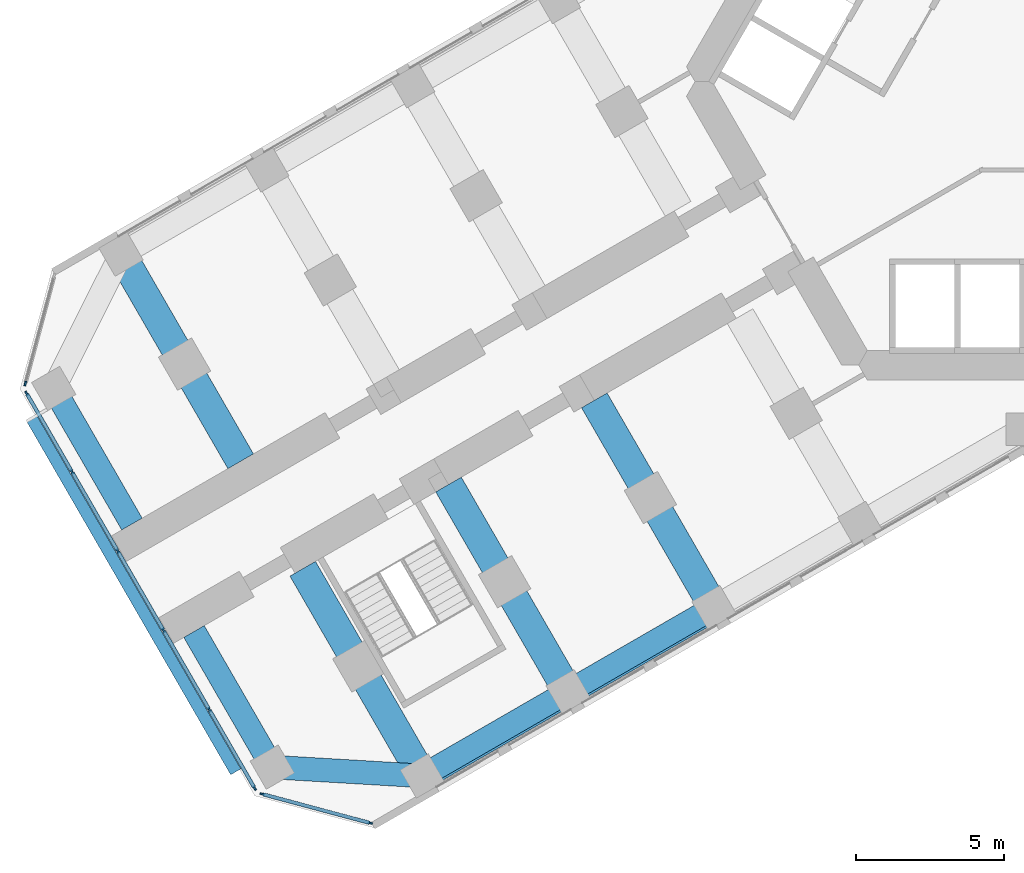
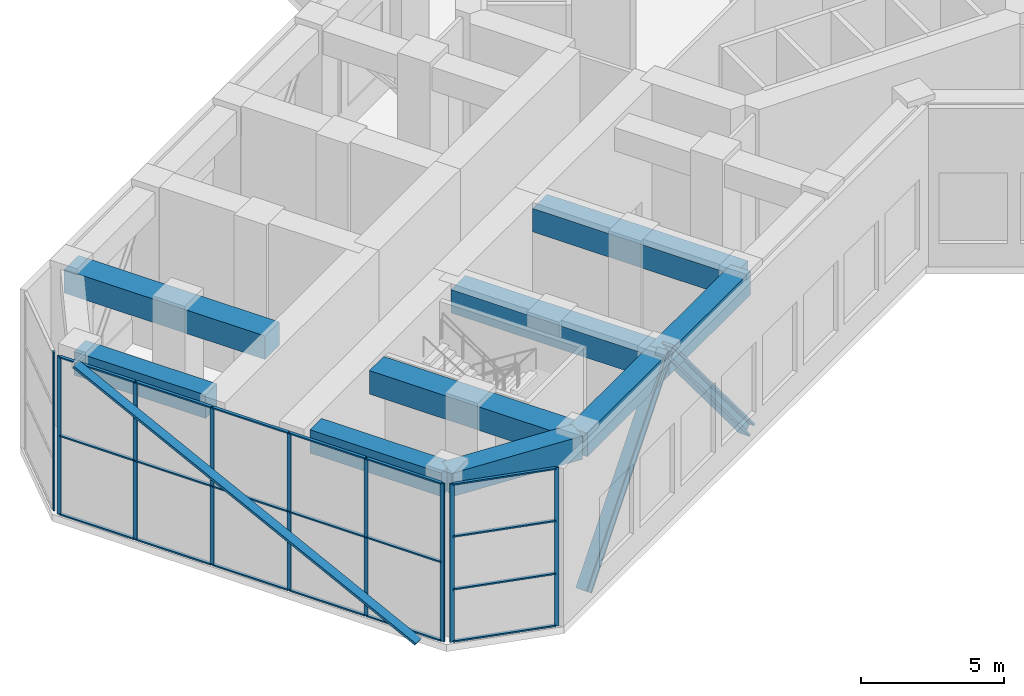
# One storey, part 2 of 17: 31 members, 9 beams, 3 elements without a shape of their own.
"""IFC4 building model written with IfcOpenShell, lengths in metres."""

from ifc_helpers import new_model, si_unit, direction, frame, origin, origin_2d, place, context, subcontext, project, spatial, rectangle, i_section, extrude, material, material_profile, profile_set, type_object, element, aggregate, save


model = new_model("IFC4")

# Units and contexts
model_context = context("Model", 3, precision=1e-05, world=origin(), true_north=direction((0.0, 1.0)))
body_context = subcontext(model_context, "Body", "Model", "MODEL_VIEW")
ifc_project = project(units=[si_unit("LENGTHUNIT", "METRE"), si_unit("AREAUNIT", "SQUARE_METRE"), si_unit("VOLUMEUNIT", "CUBIC_METRE"), si_unit("PLANEANGLEUNIT", "RADIAN"), si_unit("MASSUNIT", "GRAM", prefix="KILO")], contexts=[model_context])

# Site, building, storey
site_placement = place(None, origin())
site = spatial("IfcSite", under=ifc_project, at=site_placement, CompositionType="ELEMENT")
building_placement = place(site_placement, origin())
building = spatial("IfcBuilding", under=site, at=building_placement, Name="Kosmar Iwan School Tower", CompositionType="ELEMENT")
storey_placement = place(building_placement, frame((0.0, 0.0, 32.39990234375)))
storey = spatial("IfcBuildingStorey", under=building, at=storey_placement, Name="L07", CompositionType="ELEMENT", Elevation=32.39990234375)

# Members
ifc_material_1 = material(Name="Steel S355", Category="steel")
ifc_material_profile_1 = material_profile(ifc_material_1, i_section(OverallWidth=0.431884765625, OverallDepth=0.498046875, WebThickness=0.0556640625, FlangeThickness=0.0888671875, FilletRadius=0.014892578125, at=origin_2d()), Name="HD 400x744")
ifc_profile_set_1 = profile_set([ifc_material_profile_1], Name="Steel S355")
member_type_1 = type_object("IfcMemberType", Name="Belt truss diagonal HD 400x744", PredefinedType="BRACE", material=ifc_profile_set_1)
member_1_placement = place(storey_placement, frame((-10.318115234375, -18.0283203125, 0.0), z_axis=(-0.555597573225, -0.32078965675, 0.767075832463), x_axis=(0.50001782563, -0.866015111908, 0.0)))
element("IfcMember", 1, at=member_1_placement, inside=storey, type_object=member_type_1, Name="Belt truss diagonal BL3", PredefinedType="BRACE", context=body_context, shape_type="SweptSolid", body=[
    extrude(i_section(OverallWidth=0.431884765625, OverallDepth=0.498046875, WebThickness=0.0556640625, FlangeThickness=0.0888671875, FilletRadius=0.014892578125, at=origin_2d()), origin(), (0.0, 0.0, 1.0), 8.884521484375),
])
member_2_placement = place(storey_placement, frame((-15.25439453125, -20.87841796875, 6.815185546875), z_axis=(-0.555616569323, -0.320784759163, -0.767064121298), x_axis=(0.499999279071, -0.866025820012, 0.0)))
element("IfcMember", 2, at=member_2_placement, inside=storey, type_object=member_type_1, Name="Belt truss diagonal BL4", PredefinedType="BRACE", context=body_context, shape_type="SweptSolid", body=[
    extrude(i_section(OverallWidth=0.431884765625, OverallDepth=0.498046875, WebThickness=0.0556640625, FlangeThickness=0.0888671875, FilletRadius=0.014892578125, at=origin_2d()), origin(), (0.0, 0.0, 1.0), 8.884765625),
])

# Beams
ifc_material_2 = material(Name="Concrete C50/60", Category="concrete")
ifc_material_profile_2 = material_profile(ifc_material_2, rectangle(XDim=0.800048828125, YDim=1.0, at=origin_2d()), Name="RC 800x1000 + HD 400x634")
ifc_profile_set_2 = profile_set([ifc_material_profile_2], Name="Concrete C50/60")
beam_type_1 = type_object("IfcBeamType", Name="Composite edge beam 800x1000 HD 400x634", PredefinedType="BEAM", material=ifc_profile_set_2)
beam_1_placement = place(storey_placement, frame((-10.445068359375, -17.808349609375, 6.25), z_axis=(-0.866025820012, -0.499999279071, 0.0), x_axis=(0.499999279071, -0.866025820012, 0.0)))
element("IfcBeam", 3, at=beam_1_placement, inside=storey, type_object=beam_type_1, Name="Edge beam BL3", PredefinedType="BEAM", context=body_context, shape_type="SweptSolid", body=[
    extrude(rectangle(XDim=0.800048828125, YDim=1.0, at=origin_2d()), origin(), (0.0, 0.0, 1.0), 5.7001953125),
])
beam_2_placement = place(storey_placement, frame((-15.381591796875, -20.658447265625, 6.25), z_axis=(-0.866015111908, -0.50001782563, 0.0), x_axis=(0.50001782563, -0.866015111908, 0.0)))
element("IfcBeam", 4, at=beam_2_placement, inside=storey, type_object=beam_type_1, Name="Edge beam BL4", PredefinedType="BEAM", context=body_context, shape_type="SweptSolid", body=[
    extrude(rectangle(XDim=0.800048828125, YDim=1.0, at=origin_2d()), origin(), (0.0, 0.0, 1.0), 5.699951171875),
])
ifc_material_3 = material(Name="Concrete C50/60", Category="concrete")
ifc_material_profile_3 = material_profile(ifc_material_3, rectangle(XDim=1.0, YDim=1.0, at=origin_2d()), Name="RC 1000x1000 + HD 400x347")
ifc_profile_set_3 = profile_set([ifc_material_profile_3], Name="Concrete C50/60")
beam_type_2 = type_object("IfcBeamType", Name="Composite transverse beam 1000x1000 HD 400x347", PredefinedType="BEAM", material=ifc_profile_set_3)
beam_3_placement = place(storey_placement, frame((-10.445068359375, -17.808349609375, 6.25), z_axis=(-0.500012932018, 0.866017937352, 0.0), x_axis=(-0.866017937352, -0.500012932018, 0.0)))
element("IfcBeam", 5, at=beam_3_placement, inside=storey, type_object=beam_type_2, Name="Transverse beam BL2", PredefinedType="BEAM", context=body_context, shape_type="SweptSolid", body=[
    extrude(rectangle(XDim=1.0, YDim=1.0, at=origin_2d()), origin(), (0.0, 0.0, 1.0), 8.099853515625),
])
for number, where, z_axis, x_axis, name in (
    (6, (-15.381591796875, -20.658447265625, 6.25), (-0.499977274689, 0.866038523851, 0.0), (-0.866038523851, -0.499977274689, 0.0), "Transverse beam BL3"),
    (7, (-20.31787109375, -23.508544921875, 6.25), (-0.499999880539, 0.866025472755, 0.0), (-0.866025472755, -0.499999880539, 0.0), "Transverse beam BL4"),
    (8, (-30.517822265625, -5.841552734375, 6.25), (0.499999880539, -0.866025472755, 0.0), (0.866025472755, 0.499999880539, 0.0), "Transverse beam BR4"),
):
    element("IfcBeam", number, at=place(storey_placement, frame(where, z_axis=z_axis, x_axis=x_axis)), inside=storey, type_object=beam_type_2, Name=name, PredefinedType="BEAM", context=body_context, shape_type="SweptSolid", body=[
        extrude(rectangle(XDim=1.0, YDim=1.0, at=origin_2d()), origin(), (0.0, 0.0, 1.0), 8.10009765625),
    ])

# Member
ifc_material_4 = material(Name="Black anodised aluminium", Category="aluminium")
ifc_material_profile_4 = material_profile(ifc_material_4, rectangle(XDim=0.10009765625, YDim=0.39990234375, at=origin_2d()), Name="FIN 100x400")
ifc_profile_set_4 = profile_set([ifc_material_profile_4], Name="Black anodised aluminium")
member_type_2 = type_object("IfcMemberType", Name="Diagonal fin 100x400", PredefinedType="USERDEFINED", material=ifc_profile_set_4)
member_3_placement = place(storey_placement, frame((-26.645263671875, -23.34912109375, -0.14990234375), z_axis=(-0.445884805648, 0.772309410313, 0.452465374183), x_axis=(0.226229551412, -0.391848318744, 0.891781971765)))
element("IfcMember", 9, at=member_3_placement, inside=storey, type_object=member_type_2, Name="Diagonal fin L07-F13", ObjectType="FIN", PredefinedType="USERDEFINED", context=body_context, shape_type="SweptSolid", body=[
    extrude(rectangle(XDim=0.10009765625, YDim=0.39990234375, at=origin_2d()), origin(), (0.0, 0.0, 1.0), 15.470703125),
])

# Curtain wall, member
ifc_material_5 = material(Name="Dark glass in black aluminium frame", Category="aluminium")
curtain_wall_type_1 = type_object("IfcCurtainWallType", Name="Chamfer curtain wall dark glass", PredefinedType="USERDEFINED", material=ifc_material_5)
curtain_wall_1_placement = place(storey_placement, origin())
curtain_wall_1 = element("IfcCurtainWall", 10, at=curtain_wall_1_placement, inside=storey, type_object=curtain_wall_type_1, Name="Curtain wall L07-F12", ObjectType="FACETED CURTAIN WALL", PredefinedType="USERDEFINED")
ifc_material_6 = material(Name="Black anodised aluminium", Category="aluminium")
ifc_material_profile_5 = material_profile(ifc_material_6, rectangle(XDim=0.06005859375, YDim=0.159912109375, at=origin_2d()), Name="MULLION 60x160")
ifc_profile_set_5 = profile_set([ifc_material_profile_5], Name="Black anodised aluminium")
member_type_3 = type_object("IfcMemberType", Name="Mullion 60x160", PredefinedType="MULLION", material=ifc_profile_set_5)
member_4_placement = place(storey_placement, frame((-33.7587890625, -10.2236328125, 0.0), z_axis=(0.0, 0.0, 1.0), x_axis=(0.965925875495, -0.258818861462, 0.0)))
member_4 = element("IfcMember", 11, at=member_4_placement, type_object=member_type_3, Name="CW2 mullion 2", PredefinedType="MULLION", context=body_context, shape_type="SweptSolid", body=[
    extrude(rectangle(XDim=0.06005859375, YDim=0.159912109375, at=origin_2d()), origin(), (0.0, 0.0, 1.0), 6.75),
])
aggregate(curtain_wall_1, [member_4])

# Curtain wall, members
ifc_material_7 = material(Name="Black aluminium louvres and glass", Category="aluminium")
curtain_wall_type_2 = type_object("IfcCurtainWallType", Name="Plant floor louvred curtain wall", PredefinedType="USERDEFINED", material=ifc_material_7)
curtain_wall_2_placement = place(storey_placement, origin())
curtain_wall_2 = element("IfcCurtainWall", 12, at=curtain_wall_2_placement, inside=storey, type_object=curtain_wall_type_2, Name="Curtain wall L07-F13", ObjectType="LOUVRED CURTAIN WALL", PredefinedType="USERDEFINED")
member_5_placement = place(storey_placement, frame((-33.71533203125, -10.55322265625, 0.0), z_axis=(0.0, 0.0, 1.0), x_axis=(0.866025405329, 0.499999997325, 0.0)))
member_5 = element("IfcMember", 13, at=member_5_placement, type_object=member_type_3, Name="CW4 mullion 1", PredefinedType="MULLION", context=body_context, shape_type="SweptSolid", body=[
    extrude(rectangle(XDim=0.06005859375, YDim=0.159912109375, at=origin_2d()), origin(), (0.0, 0.0, 1.0), 6.75),
])
member_6_placement = place(storey_placement, frame((-32.1806640625, -13.21142578125, 0.0), z_axis=(0.0, 0.0, 1.0), x_axis=(0.866025405329, 0.499999997325, 0.0)))
member_6 = element("IfcMember", 14, at=member_6_placement, type_object=member_type_3, Name="CW4 mullion 2", PredefinedType="MULLION", context=body_context, shape_type="SweptSolid", body=[
    extrude(rectangle(XDim=0.06005859375, YDim=0.159912109375, at=origin_2d()), origin(), (0.0, 0.0, 1.0), 6.75),
])
member_7_placement = place(storey_placement, frame((-30.631103515625, -15.8955078125, 0.0), z_axis=(0.0, 0.0, 1.0), x_axis=(0.866025405329, 0.499999997325, 0.0)))
member_7 = element("IfcMember", 15, at=member_7_placement, type_object=member_type_3, Name="CW4 mullion 3", PredefinedType="MULLION", context=body_context, shape_type="SweptSolid", body=[
    extrude(rectangle(XDim=0.06005859375, YDim=0.159912109375, at=origin_2d()), origin(), (0.0, 0.0, 1.0), 6.75),
])
member_8_placement = place(storey_placement, frame((-29.081298828125, -18.57958984375, 0.0), z_axis=(0.0, 0.0, 1.0), x_axis=(0.866025405329, 0.499999997325, 0.0)))
member_8 = element("IfcMember", 16, at=member_8_placement, type_object=member_type_3, Name="CW4 mullion 4", PredefinedType="MULLION", context=body_context, shape_type="SweptSolid", body=[
    extrude(rectangle(XDim=0.06005859375, YDim=0.159912109375, at=origin_2d()), origin(), (0.0, 0.0, 1.0), 6.75),
])
member_9_placement = place(storey_placement, frame((-27.53173828125, -21.263671875, 0.0), z_axis=(0.0, 0.0, 1.0), x_axis=(0.866025405329, 0.499999997325, 0.0)))
member_9 = element("IfcMember", 17, at=member_9_placement, type_object=member_type_3, Name="CW4 mullion 5", PredefinedType="MULLION", context=body_context, shape_type="SweptSolid", body=[
    extrude(rectangle(XDim=0.06005859375, YDim=0.159912109375, at=origin_2d()), origin(), (0.0, 0.0, 1.0), 6.75),
])
member_10_placement = place(storey_placement, frame((-25.9970703125, -23.921630859375, 0.0), z_axis=(0.0, 0.0, 1.0), x_axis=(0.866025405329, 0.499999997325, 0.0)))
member_10 = element("IfcMember", 18, at=member_10_placement, type_object=member_type_3, Name="CW4 mullion 6", PredefinedType="MULLION", context=body_context, shape_type="SweptSolid", body=[
    extrude(rectangle(XDim=0.06005859375, YDim=0.159912109375, at=origin_2d()), origin(), (0.0, 0.0, 1.0), 6.75),
])

curtain_wall_3_placement = place(storey_placement, origin())
curtain_wall_3 = element("IfcCurtainWall", 19, at=curtain_wall_3_placement, inside=storey, type_object=curtain_wall_type_1, Name="Curtain wall L07-F14", ObjectType="FACETED CURTAIN WALL", PredefinedType="USERDEFINED")
member_11_placement = place(storey_placement, frame((-25.733154296875, -24.124267578125, 0.0), z_axis=(0.0, 0.0, 1.0), x_axis=(0.258818861462, 0.965925875495, 0.0)))
member_11 = element("IfcMember", 20, at=member_11_placement, type_object=member_type_3, Name="CW2 mullion 1", PredefinedType="MULLION", context=body_context, shape_type="SweptSolid", body=[
    extrude(rectangle(XDim=0.06005859375, YDim=0.159912109375, at=origin_2d()), origin(), (0.0, 0.0, 1.0), 6.75),
])
member_12_placement = place(storey_placement, frame((-22.0830078125, -25.102294921875, 0.0), z_axis=(0.0, 0.0, 1.0), x_axis=(0.258818861462, 0.965925875495, 0.0)))
member_12 = element("IfcMember", 21, at=member_12_placement, type_object=member_type_3, Name="CW2 mullion 2", PredefinedType="MULLION", context=body_context, shape_type="SweptSolid", body=[
    extrude(rectangle(XDim=0.06005859375, YDim=0.159912109375, at=origin_2d()), origin(), (0.0, 0.0, 1.0), 6.75),
])

# Beams
ifc_material_8 = material(Name="Concrete C50/60", Category="concrete")
ifc_material_profile_6 = material_profile(ifc_material_8, rectangle(XDim=0.800048828125, YDim=1.0, at=origin_2d()), Name="RC 800x1000")
ifc_profile_set_6 = profile_set([ifc_material_profile_6], Name="Concrete C50/60")
beam_type_3 = type_object("IfcBeamType", Name="RC tip beam 800x1000", PredefinedType="BEAM", material=ifc_profile_set_6)
beam_4_placement = place(storey_placement, frame((-20.31787109375, -23.508544921875, 6.25), z_axis=(-0.998260616478, 0.058955420358, 0.0), x_axis=(-0.058955420358, -0.998260616478, 0.0)))
element("IfcBeam", 22, at=beam_4_placement, inside=storey, type_object=beam_type_3, Name="Tip beam BL", PredefinedType="BEAM", context=body_context, shape_type="SweptSolid", body=[
    extrude(rectangle(XDim=0.800048828125, YDim=1.0, at=origin_2d()), origin(), (0.0, 0.0, 1.0), 5.08935546875),
])
beam_5_placement = place(storey_placement, frame((-25.3984375, -23.20849609375, 6.25), z_axis=(-0.499993606316, 0.866029095148, 0.0), x_axis=(-0.866029095148, -0.499993606316, 0.0)))
element("IfcBeam", 23, at=beam_5_placement, inside=storey, type_object=beam_type_3, Name="Tip beam BL to corridor wall", PredefinedType="BEAM", context=body_context, shape_type="SweptSolid", body=[
    extrude(rectangle(XDim=0.800048828125, YDim=1.0, at=origin_2d()), origin(), (0.0, 0.0, 1.0), 5.2998046875),
])
beam_6_placement = place(storey_placement, frame((-32.79833984375, -10.391357421875, 6.25), z_axis=(0.499973660256, -0.866040610509, 0.0), x_axis=(0.866040610509, 0.499973660256, 0.0)))
element("IfcBeam", 24, at=beam_6_placement, inside=storey, type_object=beam_type_3, Name="Tip beam BR to corridor wall", PredefinedType="BEAM", context=body_context, shape_type="SweptSolid", body=[
    extrude(rectangle(XDim=0.800048828125, YDim=1.0, at=origin_2d()), origin(), (0.0, 0.0, 1.0), 5.300048828125),
])

# Member
ifc_material_9 = material(Name="Black anodised aluminium", Category="aluminium")
ifc_material_profile_7 = material_profile(ifc_material_9, rectangle(XDim=0.1201171875, YDim=0.06005859375, at=origin_2d()), Name="TRANSOM 60x120")
ifc_profile_set_7 = profile_set([ifc_material_profile_7], Name="Black anodised aluminium")
member_type_4 = type_object("IfcMemberType", Name="Transom 60x120", PredefinedType="USERDEFINED", material=ifc_profile_set_7)
member_13_placement = place(storey_placement, frame((-33.700439453125, -10.579345703125, 0.030029296875), z_axis=(0.500022102064, -0.866012642776, 0.0), x_axis=(0.866012642776, 0.500022102064, 0.0)))
member_13 = element("IfcMember", 25, at=member_13_placement, type_object=member_type_4, Name="CW4 transom 1.1", ObjectType="TRANSOM", PredefinedType="USERDEFINED", context=body_context, shape_type="SweptSolid", body=[
    extrude(rectangle(XDim=0.1201171875, YDim=0.06005859375, at=origin_2d()), origin(), (0.0, 0.0, 1.0), 3.009033203125),
])

member_14_placement = place(storey_placement, frame((-33.700439453125, -10.579345703125, 3.375), z_axis=(0.500022102064, -0.866012642776, 0.0), x_axis=(0.866012642776, 0.500022102064, 0.0)))
member_14 = element("IfcMember", 26, at=member_14_placement, type_object=member_type_4, Name="CW4 transom 1.2", ObjectType="TRANSOM", PredefinedType="USERDEFINED", context=body_context, shape_type="SweptSolid", body=[
    extrude(rectangle(XDim=0.1201171875, YDim=0.06005859375, at=origin_2d()), origin(), (0.0, 0.0, 1.0), 3.009033203125),
])

member_15_placement = place(storey_placement, frame((-33.700439453125, -10.579345703125, 6.72021484375), z_axis=(0.500022102064, -0.866012642776, 0.0), x_axis=(0.866012642776, 0.500022102064, 0.0)))
member_15 = element("IfcMember", 27, at=member_15_placement, type_object=member_type_4, Name="CW4 transom 1.3", ObjectType="TRANSOM", PredefinedType="USERDEFINED", context=body_context, shape_type="SweptSolid", body=[
    extrude(rectangle(XDim=0.1201171875, YDim=0.06005859375, at=origin_2d()), origin(), (0.0, 0.0, 1.0), 3.009033203125),
])

member_16_placement = place(storey_placement, frame((-32.165771484375, -13.2373046875, 0.030029296875), z_axis=(0.500035348339, -0.866004994449, 0.0), x_axis=(0.866004994449, 0.500035348339, 0.0)))
member_16 = element("IfcMember", 28, at=member_16_placement, type_object=member_type_4, Name="CW4 transom 2.1", ObjectType="TRANSOM", PredefinedType="USERDEFINED", context=body_context, shape_type="SweptSolid", body=[
    extrude(rectangle(XDim=0.1201171875, YDim=0.06005859375, at=origin_2d()), origin(), (0.0, 0.0, 1.0), 3.039306640625),
])

member_17_placement = place(storey_placement, frame((-32.165771484375, -13.2373046875, 3.375), z_axis=(0.500035348339, -0.866004994449, 0.0), x_axis=(0.866004994449, 0.500035348339, 0.0)))
member_17 = element("IfcMember", 29, at=member_17_placement, type_object=member_type_4, Name="CW4 transom 2.2", ObjectType="TRANSOM", PredefinedType="USERDEFINED", context=body_context, shape_type="SweptSolid", body=[
    extrude(rectangle(XDim=0.1201171875, YDim=0.06005859375, at=origin_2d()), origin(), (0.0, 0.0, 1.0), 3.039306640625),
])

member_18_placement = place(storey_placement, frame((-32.165771484375, -13.2373046875, 6.72021484375), z_axis=(0.500035348339, -0.866004994449, 0.0), x_axis=(0.866004994449, 0.500035348339, 0.0)))
member_18 = element("IfcMember", 30, at=member_18_placement, type_object=member_type_4, Name="CW4 transom 2.3", ObjectType="TRANSOM", PredefinedType="USERDEFINED", context=body_context, shape_type="SweptSolid", body=[
    extrude(rectangle(XDim=0.1201171875, YDim=0.06005859375, at=origin_2d()), origin(), (0.0, 0.0, 1.0), 3.039306640625),
])

member_19_placement = place(storey_placement, frame((-30.615966796875, -15.92138671875, 0.030029296875), z_axis=(0.499975102327, -0.866039777986, 0.0), x_axis=(0.866039777986, 0.499975102327, 0.0)))
member_19 = element("IfcMember", 31, at=member_19_placement, type_object=member_type_4, Name="CW4 transom 3.1", ObjectType="TRANSOM", PredefinedType="USERDEFINED", context=body_context, shape_type="SweptSolid", body=[
    extrude(rectangle(XDim=0.1201171875, YDim=0.06005859375, at=origin_2d()), origin(), (0.0, 0.0, 1.0), 3.039306640625),
])

member_20_placement = place(storey_placement, frame((-30.615966796875, -15.92138671875, 3.375), z_axis=(0.499975102327, -0.866039777986, 0.0), x_axis=(0.866039777986, 0.499975102327, 0.0)))
member_20 = element("IfcMember", 32, at=member_20_placement, type_object=member_type_4, Name="CW4 transom 3.2", ObjectType="TRANSOM", PredefinedType="USERDEFINED", context=body_context, shape_type="SweptSolid", body=[
    extrude(rectangle(XDim=0.1201171875, YDim=0.06005859375, at=origin_2d()), origin(), (0.0, 0.0, 1.0), 3.039306640625),
])

member_21_placement = place(storey_placement, frame((-30.615966796875, -15.92138671875, 6.72021484375), z_axis=(0.499975102327, -0.866039777986, 0.0), x_axis=(0.866039777986, 0.499975102327, 0.0)))
member_21 = element("IfcMember", 33, at=member_21_placement, type_object=member_type_4, Name="CW4 transom 3.3", ObjectType="TRANSOM", PredefinedType="USERDEFINED", context=body_context, shape_type="SweptSolid", body=[
    extrude(rectangle(XDim=0.1201171875, YDim=0.06005859375, at=origin_2d()), origin(), (0.0, 0.0, 1.0), 3.039306640625),
])

member_22_placement = place(storey_placement, frame((-29.06640625, -18.60546875, 0.030029296875), z_axis=(0.499975102327, -0.866039777986, 0.0), x_axis=(0.866039777986, 0.499975102327, 0.0)))
member_22 = element("IfcMember", 34, at=member_22_placement, type_object=member_type_4, Name="CW4 transom 4.1", ObjectType="TRANSOM", PredefinedType="USERDEFINED", context=body_context, shape_type="SweptSolid", body=[
    extrude(rectangle(XDim=0.1201171875, YDim=0.06005859375, at=origin_2d()), origin(), (0.0, 0.0, 1.0), 3.039306640625),
])

member_23_placement = place(storey_placement, frame((-29.06640625, -18.60546875, 3.375), z_axis=(0.499975102327, -0.866039777986, 0.0), x_axis=(0.866039777986, 0.499975102327, 0.0)))
member_23 = element("IfcMember", 35, at=member_23_placement, type_object=member_type_4, Name="CW4 transom 4.2", ObjectType="TRANSOM", PredefinedType="USERDEFINED", context=body_context, shape_type="SweptSolid", body=[
    extrude(rectangle(XDim=0.1201171875, YDim=0.06005859375, at=origin_2d()), origin(), (0.0, 0.0, 1.0), 3.039306640625),
])

member_24_placement = place(storey_placement, frame((-29.06640625, -18.60546875, 6.72021484375), z_axis=(0.499975102327, -0.866039777986, 0.0), x_axis=(0.866039777986, 0.499975102327, 0.0)))
member_24 = element("IfcMember", 36, at=member_24_placement, type_object=member_type_4, Name="CW4 transom 4.3", ObjectType="TRANSOM", PredefinedType="USERDEFINED", context=body_context, shape_type="SweptSolid", body=[
    extrude(rectangle(XDim=0.1201171875, YDim=0.06005859375, at=origin_2d()), origin(), (0.0, 0.0, 1.0), 3.039306640625),
])

member_25_placement = place(storey_placement, frame((-27.516845703125, -21.28955078125, 0.030029296875), z_axis=(0.499986971506, -0.866032925658, 0.0), x_axis=(0.866032925658, 0.499986971506, 0.0)))
member_25 = element("IfcMember", 37, at=member_25_placement, type_object=member_type_4, Name="CW4 transom 5.1", ObjectType="TRANSOM", PredefinedType="USERDEFINED", context=body_context, shape_type="SweptSolid", body=[
    extrude(rectangle(XDim=0.1201171875, YDim=0.06005859375, at=origin_2d()), origin(), (0.0, 0.0, 1.0), 3.00927734375),
])

member_26_placement = place(storey_placement, frame((-27.516845703125, -21.28955078125, 3.375), z_axis=(0.499986971506, -0.866032925658, 0.0), x_axis=(0.866032925658, 0.499986971506, 0.0)))
member_26 = element("IfcMember", 38, at=member_26_placement, type_object=member_type_4, Name="CW4 transom 5.2", ObjectType="TRANSOM", PredefinedType="USERDEFINED", context=body_context, shape_type="SweptSolid", body=[
    extrude(rectangle(XDim=0.1201171875, YDim=0.06005859375, at=origin_2d()), origin(), (0.0, 0.0, 1.0), 3.00927734375),
])

member_27_placement = place(storey_placement, frame((-27.516845703125, -21.28955078125, 6.72021484375), z_axis=(0.499986971506, -0.866032925658, 0.0), x_axis=(0.866032925658, 0.499986971506, 0.0)))
member_27 = element("IfcMember", 39, at=member_27_placement, type_object=member_type_4, Name="CW4 transom 5.3", ObjectType="TRANSOM", PredefinedType="USERDEFINED", context=body_context, shape_type="SweptSolid", body=[
    extrude(rectangle(XDim=0.1201171875, YDim=0.06005859375, at=origin_2d()), origin(), (0.0, 0.0, 1.0), 3.00927734375),
])

aggregate(curtain_wall_2, [member_5, member_6, member_7, member_8, member_9, member_10, member_13, member_14, member_15, member_16, member_17, member_18, member_19, member_20, member_21, member_22, member_23, member_24, member_25, member_26, member_27])

member_28_placement = place(storey_placement, frame((-25.704345703125, -24.1318359375, 0.030029296875), z_axis=(0.965923731726, -0.258826861991, 0.0), x_axis=(0.258826861991, 0.965923731726, 0.0)))
member_28 = element("IfcMember", 40, at=member_28_placement, type_object=member_type_4, Name="CW2 transom 1.1", ObjectType="TRANSOM", PredefinedType="USERDEFINED", context=body_context, shape_type="SweptSolid", body=[
    extrude(rectangle(XDim=0.1201171875, YDim=0.06005859375, at=origin_2d()), origin(), (0.0, 0.0, 1.0), 3.71923828125),
])

member_29_placement = place(storey_placement, frame((-25.704345703125, -24.1318359375, 2.25), z_axis=(0.965923731726, -0.258826861991, 0.0), x_axis=(0.258826861991, 0.965923731726, 0.0)))
member_29 = element("IfcMember", 41, at=member_29_placement, type_object=member_type_4, Name="CW2 transom 1.2", ObjectType="TRANSOM", PredefinedType="USERDEFINED", context=body_context, shape_type="SweptSolid", body=[
    extrude(rectangle(XDim=0.1201171875, YDim=0.06005859375, at=origin_2d()), origin(), (0.0, 0.0, 1.0), 3.71923828125),
])

member_30_placement = place(storey_placement, frame((-25.704345703125, -24.1318359375, 4.5), z_axis=(0.965923731726, -0.258826861991, 0.0), x_axis=(0.258826861991, 0.965923731726, 0.0)))
member_30 = element("IfcMember", 42, at=member_30_placement, type_object=member_type_4, Name="CW2 transom 1.3", ObjectType="TRANSOM", PredefinedType="USERDEFINED", context=body_context, shape_type="SweptSolid", body=[
    extrude(rectangle(XDim=0.1201171875, YDim=0.06005859375, at=origin_2d()), origin(), (0.0, 0.0, 1.0), 3.71923828125),
])

member_31_placement = place(storey_placement, frame((-25.704345703125, -24.1318359375, 6.72021484375), z_axis=(0.965923731726, -0.258826861991, 0.0), x_axis=(0.258826861991, 0.965923731726, 0.0)))
member_31 = element("IfcMember", 43, at=member_31_placement, type_object=member_type_4, Name="CW2 transom 1.4", ObjectType="TRANSOM", PredefinedType="USERDEFINED", context=body_context, shape_type="SweptSolid", body=[
    extrude(rectangle(XDim=0.1201171875, YDim=0.06005859375, at=origin_2d()), origin(), (0.0, 0.0, 1.0), 3.71923828125),
])

aggregate(curtain_wall_3, [member_11, member_12, member_28, member_29, member_30, member_31])

save(model, "model.ifc")
